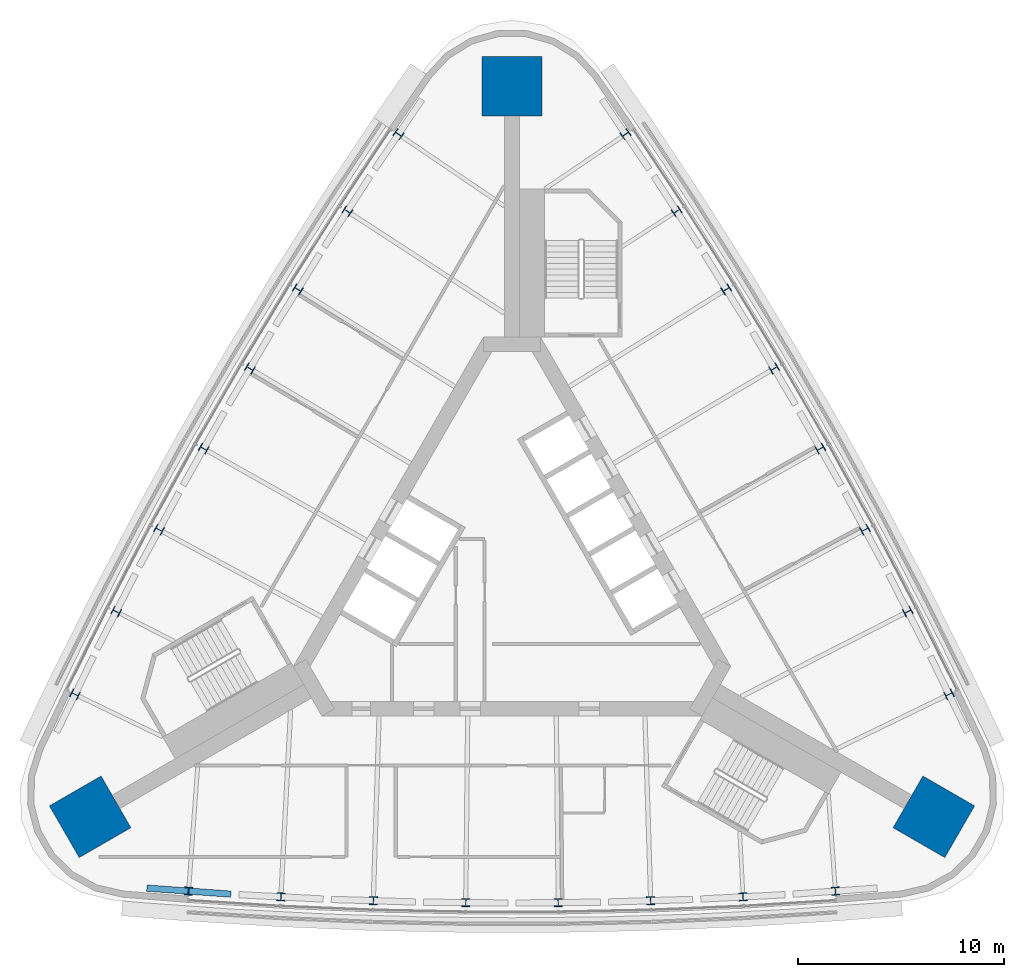
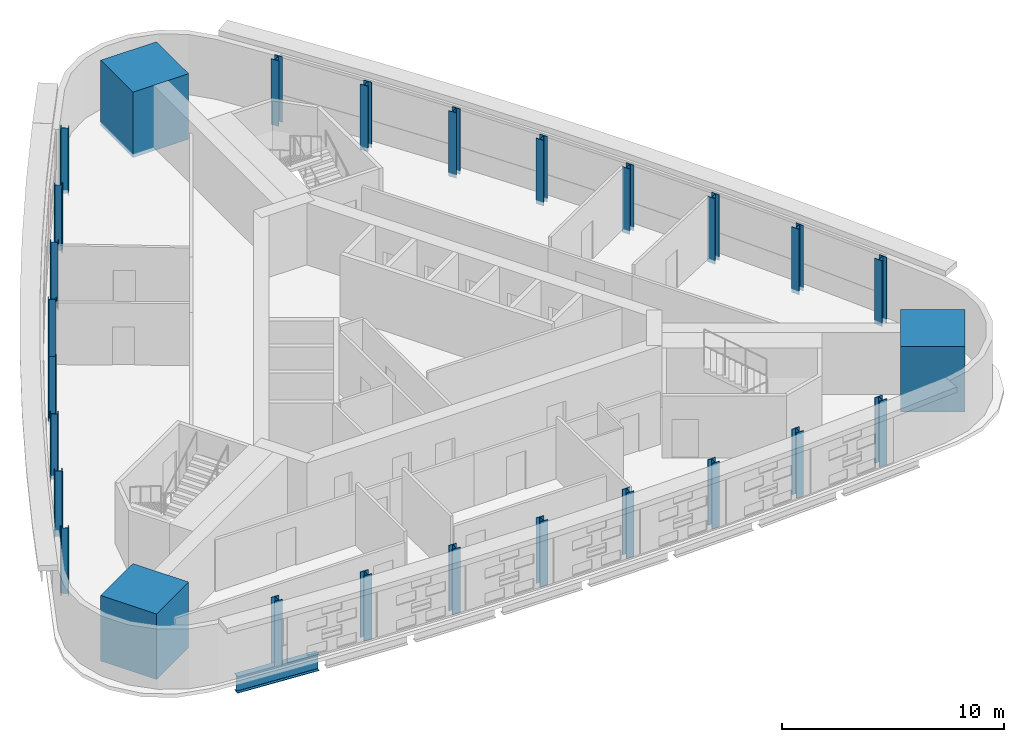
# One storey, part 1 of 12: 27 columns, 1 beam.
"""IFC4 building model written with IfcOpenShell, lengths in metres."""

from ifc_helpers import new_model, si_unit, direction, frame, origin, origin_2d, place, context, subcontext, project, spatial, rectangle, i_section, extrude, material, material_profile, profile_set, type_object, element, save


model = new_model("IFC4")

# Units and contexts
model_context = context("Model", 3, precision=1e-05, world=origin(), true_north=direction((0.0, 1.0)))
body_context = subcontext(model_context, "Body", "Model", "MODEL_VIEW")
ifc_project = project(units=[si_unit("LENGTHUNIT", "METRE"), si_unit("AREAUNIT", "SQUARE_METRE"), si_unit("VOLUMEUNIT", "CUBIC_METRE"), si_unit("PLANEANGLEUNIT", "RADIAN"), si_unit("MASSUNIT", "GRAM", prefix="KILO")], contexts=[model_context])

# Site, building, storey
site_placement = place(None, origin())
site = spatial("IfcSite", under=ifc_project, at=site_placement, CompositionType="ELEMENT")
building_placement = place(site_placement, origin())
building = spatial("IfcBuilding", under=site, at=building_placement, Name="Noor Cloister Tower", CompositionType="ELEMENT")
storey_placement = place(building_placement, frame((0.0, 0.0, 150.89990234375)))
storey = spatial("IfcBuildingStorey", under=building, at=storey_placement, Name="L38", CompositionType="ELEMENT", Elevation=150.89990234375)

# Columns
ifc_material_1 = material(Name="Steel ASTM A992 Gr 50", Category="steel")
ifc_material_profile_1 = material_profile(ifc_material_1, i_section(OverallWidth=0.39892578125, OverallDepth=0.385986328125, WebThickness=0.02099609375, FlangeThickness=0.033203125, FilletRadius=0.01513671875, at=origin_2d()), Name="W360x262")
ifc_profile_set_1 = profile_set([ifc_material_profile_1], Name="Steel ASTM A992 Gr 50")
column_type_1 = type_object("IfcColumnType", Name="Column W360x262", PredefinedType="COLUMN", material=ifc_profile_set_1)
for number, where, z_axis, x_axis, name in (
    (1, (-5.512451171875, 21.30712890625, -0.199951171875), (0.0, 0.0, 1.0), (-0.561460167885, -0.827503764269, 0.0), "Column NW 01 L38"),
    (2, (-7.993896484375, 17.56689453125, -0.199951171875), (0.0, 0.0, 1.0), (-0.544187683748, -0.838963506273, 0.0), "Column NW 02 L38"),
    (3, (-10.3974609375, 13.776123046875, -0.199951171875), (0.0, 0.0, 1.0), (-0.526681381524, -0.850062775538, 0.0), "Column NW 03 L38"),
    (4, (-12.7216796875, 9.936279296875, -0.199951171875), (0.0, 0.0, 1.0), (-0.508948783063, -0.860796803095, 0.0), "Column NW 04 L38"),
    (5, (-14.966064453125, 6.049072265625, -0.199951171875), (0.0, 0.0, 1.0), (-0.490997507445, -0.871160976905, 0.0), "Column NW 05 L38"),
    (6, (-17.129150390625, 2.1162109375, -0.199951171875), (0.0, 0.0, 1.0), (-0.472835267666, -0.881150843869, 0.0), "Column NW 06 L38"),
    (7, (-19.21044921875, -1.860595703125, -0.199951171875), (0.0, 0.0, 1.0), (-0.454469867406, -0.890762111689, 0.0), "Column NW 07 L38"),
    (8, (-21.208740234375, -5.879638671875, -0.199951171875), (0.0, 0.0, 1.0), (-0.435909197642, -0.899990650736, 0.0), "Column NW 08 L38"),
    (9, (-15.6962890625, -15.427490234375, -0.199951171875), (0.0, 0.0, 1.0), (0.997369365526, -0.072486886467, 0.0), "Column S 01 L38"),
    (10, (-11.216552734375, -15.70654296875, -0.199951171875), (0.0, 0.0, 1.0), (0.998657551154, -0.051798605416, 0.0), "Column S 02 L38"),
    (11, (-6.73193359375, -15.892578125, -0.199951171875), (0.0, 0.0, 1.0), (0.99951664919, -0.031088068331, 0.0), "Column S 03 L38"),
    (12, (-2.244140625, -15.985595703125, -0.199951171875), (0.0, 0.0, 1.0), (0.999946290508, -0.01036417381, 0.0), "Column S 04 L38"),
    (13, (2.244140625, -15.985595703125, -0.199951171875), (0.0, 0.0, 1.0), (0.999946290508, 0.01036417381, 0.0), "Column S 05 L38"),
    (14, (6.73193359375, -15.892578125, -0.199951171875), (0.0, 0.0, 1.0), (0.99951664919, 0.031088068331, 0.0), "Column S 06 L38"),
    (15, (11.216552734375, -15.70654296875, -0.199951171875), (0.0, 0.0, 1.0), (0.998657551154, 0.051798605416, 0.0), "Column S 07 L38"),
    (16, (15.6962890625, -15.427490234375, -0.199951171875), (0.0, 0.0, 1.0), (0.997369365526, 0.072486886467, 0.0), "Column S 08 L38"),
    (17, (21.208740234375, -5.879638671875, -0.199951171875), (0.0, 0.0, 1.0), (-0.435909197642, 0.899990650736, 0.0), "Column NE 01 L38"),
    (18, (19.21044921875, -1.860595703125, -0.199951171875), (0.0, 0.0, 1.0), (-0.454469867406, 0.890762111689, 0.0), "Column NE 02 L38"),
    (19, (17.129150390625, 2.1162109375, -0.199951171875), (0.0, 0.0, 1.0), (-0.472835267666, 0.881150843869, 0.0), "Column NE 03 L38"),
    (20, (14.966064453125, 6.049072265625, -0.199951171875), (0.0, 0.0, 1.0), (-0.490997507445, 0.871160976905, 0.0), "Column NE 04 L38"),
    (21, (12.7216796875, 9.936279296875, -0.199951171875), (0.0, 0.0, 1.0), (-0.508948783063, 0.860796803095, 0.0), "Column NE 05 L38"),
    (22, (10.3974609375, 13.776123046875, -0.199951171875), (0.0, 0.0, 1.0), (-0.526681381524, 0.850062775538, 0.0), "Column NE 06 L38"),
    (23, (7.993896484375, 17.56689453125, -0.199951171875), (0.0, 0.0, 1.0), (-0.544187683748, 0.838963506273, 0.0), "Column NE 07 L38"),
    (24, (5.512451171875, 21.30712890625, -0.199951171875), (0.0, 0.0, 1.0), (-0.561460167885, 0.827503764269, 0.0), "Column NE 08 L38"),
):
    element("IfcColumn", number, at=place(storey_placement, frame(where, z_axis=z_axis, x_axis=x_axis)), inside=storey, type_object=column_type_1, Name=name, PredefinedType="COLUMN", context=body_context, shape_type="SweptSolid", body=[
        extrude(i_section(OverallWidth=0.39892578125, OverallDepth=0.385986328125, WebThickness=0.02099609375, FlangeThickness=0.033203125, FilletRadius=0.01513671875, at=origin_2d()), origin(), (0.0, 0.0, 1.0), 3.60009765625),
    ])
ifc_material_2 = material(Name="Concrete C70/85", Category="concrete")
ifc_material_profile_2 = material_profile(ifc_material_2, rectangle(XDim=2.89990234375, YDim=2.89990234375, at=origin_2d()), Name="RC 2900x2900")
ifc_profile_set_2 = profile_set([ifc_material_profile_2], Name="Concrete C70/85")
column_type_2 = type_object("IfcColumnType", Name="Corner pier 2900 x 2900 C70/85", PredefinedType="COLUMN", material=ifc_profile_set_2)
for number, where, z_axis, x_axis, name in (
    (25, (0.0, 23.64208984375, -0.199951171875), (0.0, 0.0, 1.0), (0.0, 1.0, 0.0), "Corner pier N L38"),
    (26, (-20.474609375, -11.821044921875, -0.199951171875), (0.0, 0.0, 1.0), (-0.866025403784, -0.5, 0.0), "Corner pier SW L38"),
    (27, (20.474609375, -11.821044921875, -0.199951171875), (0.0, 0.0, 1.0), (0.866025403784, -0.5, 0.0), "Corner pier SE L38"),
):
    element("IfcColumn", number, at=place(storey_placement, frame(where, z_axis=z_axis, x_axis=x_axis)), inside=storey, type_object=column_type_2, Name=name, PredefinedType="COLUMN", context=body_context, shape_type="SweptSolid", body=[
        extrude(rectangle(XDim=2.89990234375, YDim=2.89990234375, at=origin_2d()), origin(), (0.0, 0.0, 1.0), 3.60009765625),
    ])

# Beam
ifc_material_3 = material(Name="Steel ASTM A992 Gr 50", Category="steel")
ifc_material_profile_3 = material_profile(ifc_material_3, i_section(OverallWidth=0.304931640625, OverallDepth=0.9189453125, WebThickness=0.017333984375, FlangeThickness=0.02783203125, FilletRadius=0.01904296875, at=origin_2d()), Name="W920x253")
ifc_profile_set_3 = profile_set([ifc_material_profile_3], Name="Steel ASTM A992 Gr 50")
beam_type = type_object("IfcBeamType", Name="Transfer girder W920x253", PredefinedType="BEAM", material=ifc_profile_set_3)
beam_placement = place(storey_placement, frame((-17.7236328125, -15.28173828125, -0.659423828125), z_axis=(0.997426476939, -0.071696744003, 0.0), x_axis=(0.071696744003, 0.997426476939, 0.0)))
element("IfcBeam", 28, at=beam_placement, inside=storey, type_object=beam_type, Name="Transfer girder S 01 L38", PredefinedType="BEAM", context=body_context, shape_type="SweptSolid", body=[
    extrude(i_section(OverallWidth=0.304931640625, OverallDepth=0.9189453125, WebThickness=0.017333984375, FlangeThickness=0.02783203125, FilletRadius=0.01904296875, at=origin_2d()), origin(), (0.0, 0.0, 1.0), 4.089599609375),
])

save(model, "model.ifc")
